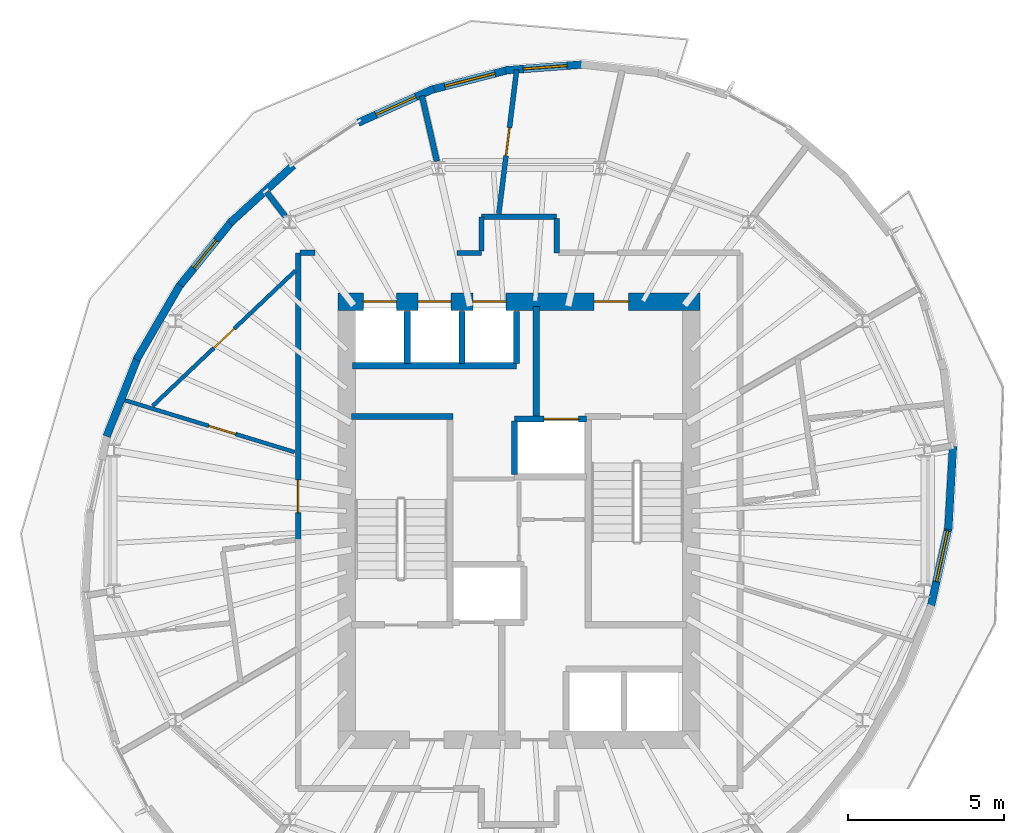
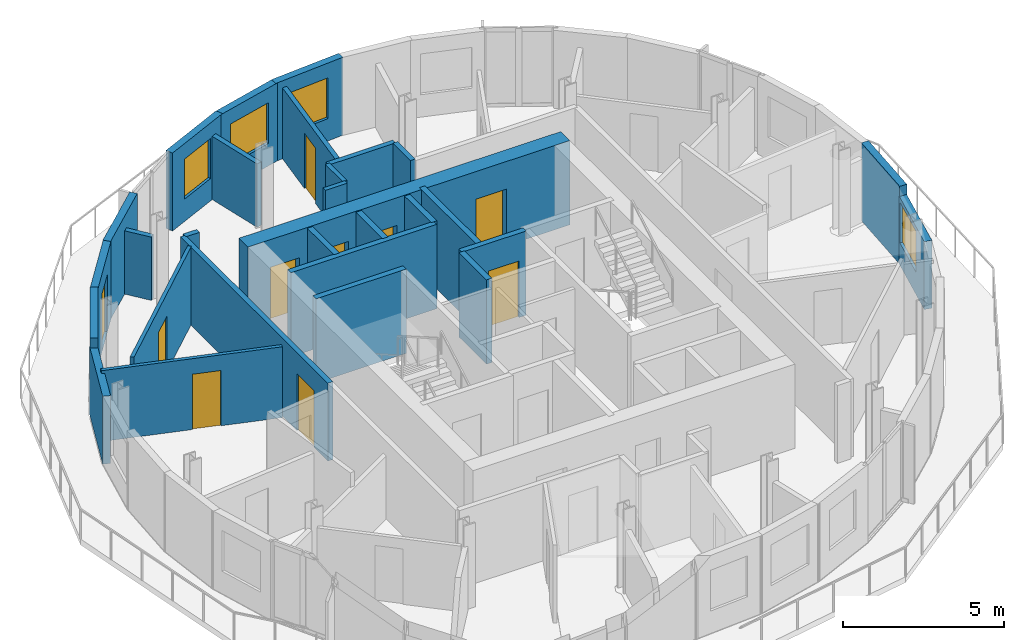
# One storey, part 6 of 11: 29 walls, 10 doors, 4 windows, 14 openings.
"""IFC4 building model written with IfcOpenShell, lengths in metres."""

from ifc_helpers import new_model, si_unit, direction, frame, frame_2d, origin, place, context, subcontext, project, spatial, rectangle, extrude, material, layer, layer_set, type_object, element, fill, save


model = new_model("IFC4")

# Units and contexts
model_context = context("Model", 3, precision=1e-05, world=origin(), true_north=direction((0.0, 1.0)))
body_context = subcontext(model_context, "Body", "Model", "MODEL_VIEW")
ifc_project = project(units=[si_unit("LENGTHUNIT", "METRE"), si_unit("AREAUNIT", "SQUARE_METRE"), si_unit("VOLUMEUNIT", "CUBIC_METRE"), si_unit("PLANEANGLEUNIT", "RADIAN"), si_unit("MASSUNIT", "GRAM", prefix="KILO")], contexts=[model_context])

# Site, building, storey
site_placement = place(None, origin())
site = spatial("IfcSite", under=ifc_project, at=site_placement, CompositionType="ELEMENT")
building_placement = place(site_placement, origin())
building = spatial("IfcBuilding", under=site, at=building_placement, Name="Veldorim Arch Residences", CompositionType="ELEMENT")
storey_placement = place(building_placement, frame((0.0, 0.0, 220.639892578125)))
storey = spatial("IfcBuildingStorey", under=building, at=storey_placement, Name="L66", CompositionType="ELEMENT", Elevation=220.639892578125)

# Wall, opening, door
ifc_material_1 = material(Name="Acoustic Gypsum Board", Category="gypsum")
ifc_layer_1 = layer(ifc_material_1, 0.125, Name="Acoustic Stud Room Partition Wall 125")
ifc_layer_set_1 = layer_set([ifc_layer_1], Name="Acoustic Gypsum Board")
wall_type_1 = type_object("IfcWallType", Name="Acoustic Stud Room Partition Wall 125", PredefinedType="PARTITIONING", material=ifc_layer_set_1)
wall_1_placement = place(storey_placement, frame((19.2998046875, 27.879150390625, 0.0), z_axis=(0.0, 0.0, 1.0), x_axis=(0.956379122361, -0.29212835246, 0.0)))
wall_1 = element("IfcWall", 1, at=wall_1_placement, inside=storey, type_object=wall_type_1, Name="L66 interior wall WL-RES-L66-030", PredefinedType="PARTITIONING", context=body_context, shape_type="SweptSolid", body=[
    extrude(rectangle(XDim=5.77734375, YDim=0.125, at=frame_2d((2.888671875, 0.0))), origin(), (0.0, 0.0, 1.0), 2.692138671875),
])
opening_1_placement = place(wall_1_placement, frame((2.91015625, 0.0, 0.0)))
opening_1 = element("IfcOpeningElement", 2, at=opening_1_placement, cuts=wall_1, Name="Opening DR-INT", PredefinedType="OPENING", context=body_context, shape_type="SweptSolid", body=[
    extrude(rectangle(XDim=0.89990234375, YDim=2.10009765625, at=frame_2d((0.449951171875, 1.050048828125))), frame((0.0, 0.072509765625, 0.0), z_axis=(0.0, -1.0, 0.0), x_axis=(1.0, 0.0, 0.0)), (0.0, 0.0, 1.0), 0.14501953125),
])
ifc_material_2 = material(Name="Engineered Timber", Category="wood")
door_type_1 = type_object("IfcDoorType", Name="Apartment Internal Room Timber Door 900x2100", OperationType="SINGLE_SWING_LEFT", PredefinedType="DOOR", material=ifc_material_2)
door_1_placement = place(opening_1_placement, origin())
door_1 = element("IfcDoor", 3, at=door_1_placement, inside=storey, type_object=door_type_1, Name="L66 interior door DR-RES-L66-016", OperationType="SINGLE_SWING_RIGHT", OverallHeight=2.10009765625, OverallWidth=0.89990234375, PredefinedType="DOOR", context=body_context, shape_type="SweptSolid", body=[
    extrude(rectangle(XDim=0.89990234375, YDim=2.10009765625, at=frame_2d((0.449951171875, 1.050048828125))), frame((0.0, 0.02490234375, 0.0), z_axis=(0.0, -1.0, 0.0), x_axis=(1.0, 0.0, 0.0)), (0.0, 0.0, 1.0), 0.050048828125),
])
fill(opening_1, door_1)

wall_2_placement = place(storey_placement, frame((20.29345703125, 27.66650390625, 0.0), z_axis=(0.0, 0.0, 1.0), x_axis=(0.725799476315, 0.687906330965, 0.0)))
wall_2 = element("IfcWall", 4, at=wall_2_placement, inside=storey, type_object=wall_type_1, Name="L66 interior wall WL-RES-L66-033", PredefinedType="PARTITIONING", context=body_context, shape_type="SweptSolid", body=[
    extrude(rectangle(XDim=6.28173828125, YDim=0.125, at=frame_2d((3.140869140625, 0.0))), origin(), (0.0, 0.0, 1.0), 2.955078125),
])
opening_2_placement = place(wall_2_placement, frame((2.69091796875, 0.0, 0.0)))
opening_2 = element("IfcOpeningElement", 5, at=opening_2_placement, cuts=wall_2, Name="Opening DR-INT", PredefinedType="OPENING", context=body_context, shape_type="SweptSolid", body=[
    extrude(rectangle(XDim=0.89990234375, YDim=2.10009765625, at=frame_2d((0.449951171875, 1.050048828125))), frame((0.0, 0.072509765625, 0.0), z_axis=(0.0, -1.0, 0.0), x_axis=(1.0, 0.0, 0.0)), (0.0, 0.0, 1.0), 0.14501953125),
])
door_2_placement = place(opening_2_placement, origin())
door_2 = element("IfcDoor", 6, at=door_2_placement, inside=storey, type_object=door_type_1, Name="L66 interior door DR-RES-L66-017", OperationType="SINGLE_SWING_LEFT", OverallHeight=2.10009765625, OverallWidth=0.89990234375, PredefinedType="DOOR", context=body_context, shape_type="SweptSolid", body=[
    extrude(rectangle(XDim=0.89990234375, YDim=2.10009765625, at=frame_2d((0.449951171875, 1.050048828125))), frame((0.0, 0.02490234375, 0.0), z_axis=(0.0, -1.0, 0.0), x_axis=(1.0, 0.0, 0.0)), (0.0, 0.0, 1.0), 0.050048828125),
])
fill(opening_2, door_2)

# Walls
ifc_material_3 = material(Name="Lightweight Masonry Block & Gypsum", Category="masonry")
ifc_layer_2 = layer(ifc_material_3, 0.179931640625, Name="Compartment & Corridor Fire-Rated Party Wall 180")
ifc_layer_set_2 = layer_set([ifc_layer_2], Name="Lightweight Masonry Block & Gypsum")
wall_type_2 = type_object("IfcWallType", Name="Compartment & Corridor Fire-Rated Party Wall 180", PredefinedType="PARTITIONING", material=ifc_layer_set_2)
wall_3_placement = place(storey_placement, frame((29.37353515625, 35.483154296875, 0.0), z_axis=(0.0, 0.0, 1.0), x_axis=(-0.222945438732, 0.974830924493, 0.0)))
element("IfcWall", 7, at=wall_3_placement, inside=storey, type_object=wall_type_2, Name="L66 interior wall WL-PIER-L66-05", PredefinedType="PARTITIONING", context=body_context, shape_type="SweptSolid", body=[
    extrude(rectangle(XDim=2.14306640625, YDim=0.179931640625, at=frame_2d((1.071533203125, 0.0))), origin(), (0.0, 0.0, 1.0), 2.403564453125),
])
wall_4_placement = place(storey_placement, frame((24.526611328125, 33.727294921875, 0.0), z_axis=(0.0, 0.0, 1.0), x_axis=(-0.60918017505, 0.793031849503, 0.0)))
element("IfcWall", 8, at=wall_4_placement, inside=storey, type_object=wall_type_2, Name="L66 interior wall WL-PIER-L66-06", PredefinedType="PARTITIONING", context=body_context, shape_type="SweptSolid", body=[
    extrude(rectangle(XDim=0.978759765625, YDim=0.179931640625, at=frame_2d((0.4892578125, 0.0))), origin(), (0.0, 0.0, 1.0), 2.403564453125),
])
wall_5_placement = place(storey_placement, frame((30.800048828125, 33.7099609375, 0.0), z_axis=(0.0, 0.0, 1.0), x_axis=(1.0, 0.0, 0.0)))
element("IfcWall", 9, at=wall_5_placement, inside=storey, type_object=wall_type_2, Name="L66 interior wall WL-RES-L66-009", PredefinedType="PARTITIONING", context=body_context, shape_type="SweptSolid", body=[
    extrude(rectangle(XDim=2.39990234375, YDim=0.179931640625, at=frame_2d((1.199951171875, 0.0))), origin(), (0.0, 0.0, 1.0), 2.955078125),
])
wall_6_placement = place(storey_placement, frame((33.199951171875, 33.64990234375, 0.0), z_axis=(0.0, 0.0, 1.0), x_axis=(0.0, -1.0, 0.0)))
element("IfcWall", 10, at=wall_6_placement, inside=storey, type_object=wall_type_2, Name="L66 interior wall WL-RES-L66-010", PredefinedType="PARTITIONING", context=body_context, shape_type="SweptSolid", body=[
    extrude(rectangle(XDim=1.08984375, YDim=0.179931640625, at=frame_2d((0.544921875, 0.0))), origin(), (0.0, 0.0, 1.0), 2.955078125),
])

# Wall, opening, door
wall_7_placement = place(storey_placement, frame((24.93994140625, 23.383544921875, 0.0), z_axis=(0.0, 0.0, 1.0), x_axis=(0.0, 1.0, 0.0)))
wall_7 = element("IfcWall", 11, at=wall_7_placement, inside=storey, type_object=wall_type_2, Name="L66 interior wall WL-RES-L66-014", PredefinedType="PARTITIONING", context=body_context, shape_type="SweptSolid", body=[
    extrude(rectangle(XDim=9.176513671875, YDim=0.179931640625, at=frame_2d((4.58837890625, 0.0))), origin(), (0.0, 0.0, 1.0), 2.955078125),
])
opening_3_placement = place(wall_7_placement, frame((0.871826171875, 0.0, 0.0)))
opening_3 = element("IfcOpeningElement", 12, at=opening_3_placement, cuts=wall_7, Name="Opening DR-FLT", PredefinedType="OPENING", context=body_context, shape_type="SweptSolid", body=[
    extrude(rectangle(XDim=1.050048828125, YDim=2.14990234375, at=frame_2d((0.52490234375, 1.074951171875))), frame((0.0, 0.099853515625, 0.0), z_axis=(0.0, -1.0, 0.0), x_axis=(1.0, 0.0, 0.0)), (0.0, 0.0, 1.0), 0.199951171875),
])
ifc_material_4 = material(Name="Fire-Rated Timber", Category="wood")
door_type_2 = type_object("IfcDoorType", Name="Apartment Entrance Solid-Core Fire Door 1050x2150", OperationType="SINGLE_SWING_LEFT", PredefinedType="DOOR", material=ifc_material_4)
door_3_placement = place(opening_3_placement, origin())
door_3 = element("IfcDoor", 13, at=door_3_placement, inside=storey, type_object=door_type_2, Name="L66 interior door DR-RES-L66-014", OperationType="SINGLE_SWING_RIGHT", OverallHeight=2.14990234375, OverallWidth=1.050048828125, PredefinedType="DOOR", context=body_context, shape_type="SweptSolid", body=[
    extrude(rectangle(XDim=1.050048828125, YDim=2.14990234375, at=frame_2d((0.52490234375, 1.074951171875))), frame((0.0, 0.02490234375, 0.0), z_axis=(0.0, -1.0, 0.0), x_axis=(1.0, 0.0, 0.0)), (0.0, 0.0, 1.0), 0.050048828125),
])
fill(opening_3, door_3)

# Walls
wall_8_placement = place(storey_placement, frame((25.0, 32.56005859375, 0.0), z_axis=(0.0, 0.0, 1.0), x_axis=(1.0, 0.0, 0.0)))
element("IfcWall", 14, at=wall_8_placement, inside=storey, type_object=wall_type_2, Name="L66 interior wall WL-RES-L66-015", PredefinedType="PARTITIONING", context=body_context, shape_type="SweptSolid", body=[
    extrude(rectangle(XDim=0.485595703125, YDim=0.179931640625, at=frame_2d((0.24267578125, 0.0))), origin(), (0.0, 0.0, 1.0), 2.955078125),
])
ifc_material_5 = material(Name="Concrete C50/60", Category="concrete")
ifc_layer_3 = layer(ifc_material_5, 0.199951171875, Name="Core Stair & Lift Shaft Enclosure Wall 200")
ifc_layer_set_3 = layer_set([ifc_layer_3], Name="Concrete C50/60")
wall_type_3 = type_object("IfcWallType", Name="Core Stair & Lift Shaft Enclosure Wall 200", PredefinedType="SHEAR", material=ifc_layer_set_3)
wall_9_placement = place(storey_placement, frame((26.64990234375, 27.330078125, 0.0), z_axis=(0.0, 0.0, 1.0), x_axis=(1.0, 0.0, 0.0)))
element("IfcWall", 15, at=wall_9_placement, inside=storey, type_object=wall_type_3, Name="L66 shaft wall WL-SHF-L66-ST1-N", PredefinedType="SHEAR", context=body_context, shape_type="SweptSolid", body=[
    extrude(rectangle(XDim=3.239990234375, YDim=0.199951171875, at=frame_2d((1.6201171875, 0.0))), origin(), (0.0, 0.0, 1.0), 3.2001953125),
])
wall_10_placement = place(storey_placement, frame((32.550048828125, 27.35009765625, 0.0), z_axis=(0.0, 0.0, 1.0), x_axis=(0.0, 1.0, 0.0)))
element("IfcWall", 16, at=wall_10_placement, inside=storey, type_object=wall_type_3, Name="L66 shaft wall WL-FFL2-L66-W", PredefinedType="SHEAR", context=body_context, shape_type="SweptSolid", body=[
    extrude(rectangle(XDim=3.5, YDim=0.199951171875, at=frame_2d((1.75, 0.0))), origin(), (0.0, 0.0, 1.0), 3.2001953125),
])

# Wall, opening, door
wall_11_placement = place(storey_placement, frame((31.85009765625, 27.25, 0.0), z_axis=(0.0, 0.0, 1.0), x_axis=(1.0, 0.0, 0.0)))
wall_11 = element("IfcWall", 17, at=wall_11_placement, inside=storey, type_object=wall_type_3, Name="L66 shaft wall WL-FL02-L66-N", PredefinedType="SHEAR", context=body_context, shape_type="SweptSolid", body=[
    extrude(rectangle(XDim=2.2998046875, YDim=0.199951171875, at=frame_2d((1.14990234375, 0.0))), origin(), (0.0, 0.0, 1.0), 3.2001953125),
])
opening_4_placement = place(wall_11_placement, frame((0.949951171875, 0.0, 0.0)))
opening_4 = element("IfcOpeningElement", 18, at=opening_4_placement, cuts=wall_11, Name="Opening LD-FF", PredefinedType="OPENING", context=body_context, shape_type="SweptSolid", body=[
    extrude(rectangle(XDim=1.10009765625, YDim=2.14990234375, at=frame_2d((0.550048828125, 1.074951171875))), frame((0.0, 0.10986328125, 0.0), z_axis=(0.0, -1.0, 0.0), x_axis=(1.0, 0.0, 0.0)), (0.0, 0.0, 1.0), 0.219970703125),
])
ifc_material_6 = material(Name="Stainless Steel", Category="steel")
door_type_3 = type_object("IfcDoorType", Name="Firefighting Lift Bi-Parting Sliding Landing Door 1100x2150", OperationType="DOUBLE_DOOR_SLIDING", PredefinedType="DOOR", material=ifc_material_6)
door_4_placement = place(opening_4_placement, origin())
door_4 = element("IfcDoor", 19, at=door_4_placement, inside=storey, type_object=door_type_3, Name="L66 lift landing door LD-L66-FL02", OperationType="DOUBLE_DOOR_SLIDING", OverallHeight=2.14990234375, OverallWidth=1.10009765625, PredefinedType="DOOR", context=body_context, shape_type="SweptSolid", body=[
    extrude(rectangle(XDim=1.10009765625, YDim=2.14990234375, at=frame_2d((0.550048828125, 1.074951171875))), frame((0.0, 0.02490234375, 0.0), z_axis=(0.0, -1.0, 0.0), x_axis=(1.0, 0.0, 0.0)), (0.0, 0.0, 1.0), 0.050048828125),
])
fill(opening_4, door_4)

# Walls
wall_12_placement = place(storey_placement, frame((31.85009765625, 25.469970703125, 0.0), z_axis=(0.0, 0.0, 1.0), x_axis=(0.0, 1.0, 0.0)))
element("IfcWall", 20, at=wall_12_placement, inside=storey, type_object=wall_type_3, Name="L66 shaft wall WL-FL02-L66-W", PredefinedType="SHEAR", context=body_context, shape_type="SweptSolid", body=[
    extrude(rectangle(XDim=1.7099609375, YDim=0.199951171875, at=frame_2d((0.85498046875, 0.0))), origin(), (0.0, 0.0, 1.0), 3.2001953125),
])
wall_13_placement = place(storey_placement, frame((26.679931640625, 28.949951171875, 0.0), z_axis=(0.0, 0.0, 1.0), x_axis=(1.0, 0.0, 0.0)))
element("IfcWall", 21, at=wall_13_placement, inside=storey, type_object=wall_type_3, Name="L66 shaft wall WL-B3-L66-S", PredefinedType="SHEAR", context=body_context, shape_type="SweptSolid", body=[
    extrude(rectangle(XDim=5.239990234375, YDim=0.199951171875, at=frame_2d((2.6201171875, 0.0))), origin(), (0.0, 0.0, 1.0), 3.2001953125),
])
for number, where, z_axis, x_axis, name in (
    (22, (31.919921875, 29.02001953125, 0.0), (0.0, 0.0, 1.0), (0.0, 1.0, 0.0), "L66 shaft wall WL-B3-L66-E"),
    (23, (28.425048828125, 29.02001953125, 0.0), (0.0, 0.0, 1.0), (0.0, 1.0, 0.0), "L66 shaft wall WL-B3-L66-D1"),
    (24, (30.175048828125, 29.02001953125, 0.0), (0.0, 0.0, 1.0), (0.0, 1.0, 0.0), "L66 shaft wall WL-B3-L66-D2"),
):
    element("IfcWall", number, at=place(storey_placement, frame(where, z_axis=z_axis, x_axis=x_axis)), inside=storey, type_object=wall_type_3, Name=name, PredefinedType="SHEAR", context=body_context, shape_type="SweptSolid", body=[
        extrude(rectangle(XDim=1.659912109375, YDim=0.199951171875, at=frame_2d((0.830078125, 0.0))), origin(), (0.0, 0.0, 1.0), 3.2001953125),
    ])

# Wall, opening, window
ifc_material_7 = material(Name="Precast concrete C40/50", Category="concrete")
ifc_layer_4 = layer(ifc_material_7, 0.25, Name="Tower Terracotta Spandrel & Pier Wall 250")
ifc_layer_set_4 = layer_set([ifc_layer_4], Name="Precast concrete C40/50")
wall_type_4 = type_object("IfcWallType", Name="Tower Terracotta Spandrel & Pier Wall 250", PredefinedType="SOLIDWALL", material=ifc_layer_set_4)
wall_14_placement = place(storey_placement, frame((31.57080078125, 38.393798828125, 0.0), z_axis=(0.0, 0.0, 1.0), x_axis=(0.997203982256, 0.074727623888, 0.0)))
wall_14 = element("IfcWall", 25, at=wall_14_placement, inside=storey, type_object=wall_type_4, Name="L66 terracotta facade wall 04", PredefinedType="SOLIDWALL", context=body_context, shape_type="SweptSolid", body=[
    extrude(rectangle(XDim=2.531982421875, YDim=0.25, at=frame_2d((1.26611328125, 0.0))), origin(), (0.0, 0.0, 1.0), 2.960205078125),
])
opening_5_placement = place(wall_14_placement, frame((0.56591796875, 0.0, 0.85009765625)))
opening_5 = element("IfcOpeningElement", 26, at=opening_5_placement, cuts=wall_14, Name="Opening WN-02", PredefinedType="OPENING", context=body_context, shape_type="SweptSolid", body=[
    extrude(rectangle(XDim=1.39990234375, YDim=1.550048828125, at=frame_2d((0.699951171875, 0.77490234375))), frame((0.0, 0.135009765625, 0.0), z_axis=(0.0, -1.0, 0.0), x_axis=(1.0, 0.0, 0.0)), (0.0, 0.0, 1.0), 0.27001953125),
])
ifc_material_8 = material(Name="Laminated Low-E Glass", Category="glass")
window_type_1 = type_object("IfcWindowType", Name="Residential Casement Window 1400x1550", PartitioningType="SINGLE_PANEL", PredefinedType="WINDOW", material=ifc_material_8)
window_1_placement = place(opening_5_placement, origin())
window_1 = element("IfcWindow", 27, at=window_1_placement, inside=storey, type_object=window_type_1, Name="L66 solar-control facade window 04", OverallHeight=1.550048828125, OverallWidth=1.39990234375, PartitioningType="SINGLE_PANEL", PredefinedType="WINDOW", context=body_context, shape_type="SweptSolid", body=[
    extrude(rectangle(XDim=1.39990234375, YDim=1.550048828125, at=frame_2d((0.699951171875, 0.77490234375))), frame((0.0, 0.030029296875, 0.0), z_axis=(0.0, -1.0, 0.0), x_axis=(1.0, 0.0, 0.0)), (0.0, 0.0, 1.0), 0.06005859375),
])
fill(opening_5, window_1)

wall_15_placement = place(storey_placement, frame((29.170654296875, 37.765625, 0.0), z_axis=(0.0, 0.0, 1.0), x_axis=(0.968423445169, 0.249311112562, 0.0)))
wall_15 = element("IfcWall", 28, at=wall_15_placement, inside=storey, type_object=wall_type_4, Name="L66 terracotta facade wall 05", PredefinedType="SOLIDWALL", context=body_context, shape_type="SweptSolid", body=[
    extrude(rectangle(XDim=2.592041015625, YDim=0.25, at=frame_2d((1.2958984375, 0.0))), origin(), (0.0, 0.0, 1.0), 2.960205078125),
])
opening_6_placement = place(wall_15_placement, frame((0.470947265625, 0.0, 0.85009765625)))
opening_6 = element("IfcOpeningElement", 29, at=opening_6_placement, cuts=wall_15, Name="Opening WN-03", PredefinedType="OPENING", context=body_context, shape_type="SweptSolid", body=[
    extrude(rectangle(XDim=1.64990234375, YDim=1.550048828125, at=frame_2d((0.824951171875, 0.77490234375))), frame((0.0, 0.135009765625, 0.0), z_axis=(0.0, -1.0, 0.0), x_axis=(1.0, 0.0, 0.0)), (0.0, 0.0, 1.0), 0.27001953125),
])
ifc_material_9 = material(Name="Laminated Low-E Glass", Category="glass")
window_type_2 = type_object("IfcWindowType", Name="Residential Wide Window 1650x1550", PartitioningType="SINGLE_PANEL", PredefinedType="WINDOW", material=ifc_material_9)
window_2_placement = place(opening_6_placement, origin())
window_2 = element("IfcWindow", 30, at=window_2_placement, inside=storey, type_object=window_type_2, Name="L66 solar-control facade window 05", OverallHeight=1.550048828125, OverallWidth=1.64990234375, PartitioningType="SINGLE_PANEL", PredefinedType="WINDOW", context=body_context, shape_type="SweptSolid", body=[
    extrude(rectangle(XDim=1.64990234375, YDim=1.550048828125, at=frame_2d((0.824951171875, 0.77490234375))), frame((0.0, 0.030029296875, 0.0), z_axis=(0.0, -1.0, 0.0), x_axis=(1.0, 0.0, 0.0)), (0.0, 0.0, 1.0), 0.06005859375),
])
fill(opening_6, window_2)

wall_16_placement = place(storey_placement, frame((26.85546875, 36.719482421875, 0.0), z_axis=(0.0, 0.0, 1.0), x_axis=(0.912779399898, 0.408452894617, 0.0)))
wall_16 = element("IfcWall", 31, at=wall_16_placement, inside=storey, type_object=wall_type_4, Name="L66 terracotta facade wall 06", PredefinedType="SOLIDWALL", context=body_context, shape_type="SweptSolid", body=[
    extrude(rectangle(XDim=2.65087890625, YDim=0.25, at=frame_2d((1.325439453125, 0.0))), origin(), (0.0, 0.0, 1.0), 2.960205078125),
])
opening_7_placement = place(wall_16_placement, frame((0.625, 0.0, 0.85009765625)))
opening_7 = element("IfcOpeningElement", 32, at=opening_7_placement, cuts=wall_16, Name="Opening WN-02", PredefinedType="OPENING", context=body_context, shape_type="SweptSolid", body=[
    extrude(rectangle(XDim=1.39990234375, YDim=1.52001953125, at=frame_2d((0.699951171875, 0.760009765625))), frame((0.0, 0.135009765625, 0.0), z_axis=(0.0, -1.0, 0.0), x_axis=(1.0, 0.0, 0.0)), (0.0, 0.0, 1.0), 0.27001953125),
])
window_3_placement = place(opening_7_placement, origin())
window_3 = element("IfcWindow", 33, at=window_3_placement, inside=storey, type_object=window_type_1, Name="L66 solar-control facade window 06", OverallHeight=1.52001953125, OverallWidth=1.39990234375, PartitioningType="SINGLE_PANEL", PredefinedType="WINDOW", context=body_context, shape_type="SweptSolid", body=[
    extrude(rectangle(XDim=1.39990234375, YDim=1.52001953125, at=frame_2d((0.699951171875, 0.760009765625))), frame((0.0, 0.030029296875, 0.0), z_axis=(0.0, -1.0, 0.0), x_axis=(1.0, 0.0, 0.0)), (0.0, 0.0, 1.0), 0.06005859375),
])
fill(opening_7, window_3)

# Wall
wall_17_placement = place(storey_placement, frame((22.757080078125, 33.509521484375, 0.0), z_axis=(0.0, 0.0, 1.0), x_axis=(0.739366950434, 0.673302690182, 0.0)))
element("IfcWall", 34, at=wall_17_placement, inside=storey, type_object=wall_type_4, Name="L66 terracotta facade wall 08", PredefinedType="SOLIDWALL", context=body_context, shape_type="SweptSolid", body=[
    extrude(rectangle(XDim=2.73828125, YDim=0.25, at=frame_2d((1.369140625, 0.0))), origin(), (0.0, 0.0, 1.0), 2.960205078125),
])

# Wall, opening, door
wall_18_placement = place(storey_placement, frame((21.099609375, 31.4423828125, 0.0), z_axis=(0.0, 0.0, 1.0), x_axis=(0.628046541479, 0.778175778174, 0.0)))
wall_18 = element("IfcWall", 35, at=wall_18_placement, inside=storey, type_object=wall_type_4, Name="L66 terracotta facade wall 09", PredefinedType="SOLIDWALL", context=body_context, shape_type="SweptSolid", body=[
    extrude(rectangle(XDim=2.758056640625, YDim=0.25, at=frame_2d((1.37890625, 0.0))), origin(), (0.0, 0.0, 1.0), 2.960205078125),
])
opening_8_placement = place(wall_18_placement, frame((0.803955078125, 0.0, 0.0)))
opening_8 = element("IfcOpeningElement", 36, at=opening_8_placement, cuts=wall_18, Name="Opening BL-DR", PredefinedType="OPENING", context=body_context, shape_type="SweptSolid", body=[
    extrude(rectangle(XDim=1.14990234375, YDim=2.199951171875, at=frame_2d((0.574951171875, 1.10009765625))), frame((0.0, 0.135009765625, 0.0), z_axis=(0.0, -1.0, 0.0), x_axis=(1.0, 0.0, 0.0)), (0.0, 0.0, 1.0), 0.27001953125),
])
ifc_material_10 = material(Name="Aluminium & Low-E Glass", Category="aluminium")
door_type_4 = type_object("IfcDoorType", Name="Glazed Planted Balcony Door 1150x2200", OperationType="SINGLE_SWING_LEFT", PredefinedType="DOOR", material=ifc_material_10)
door_5_placement = place(opening_8_placement, origin())
door_5 = element("IfcDoor", 37, at=door_5_placement, inside=storey, type_object=door_type_4, Name="L66 glazed outdoor terrace door BALC-1", OperationType="SINGLE_SWING_LEFT", OverallHeight=2.199951171875, OverallWidth=1.14990234375, PredefinedType="DOOR", context=body_context, shape_type="SweptSolid", body=[
    extrude(rectangle(XDim=1.14990234375, YDim=2.199951171875, at=frame_2d((0.574951171875, 1.10009765625))), frame((0.0, 0.02490234375, 0.0), z_axis=(0.0, -1.0, 0.0), x_axis=(1.0, 0.0, 0.0)), (0.0, 0.0, 1.0), 0.050048828125),
])
fill(opening_8, door_5)

# Walls
wall_19_placement = place(storey_placement, frame((19.7734375, 29.148681640625, 0.0), z_axis=(0.0, 0.0, 1.0), x_axis=(0.503177339128, 0.864183178144, 0.0)))
element("IfcWall", 38, at=wall_19_placement, inside=storey, type_object=wall_type_4, Name="L66 terracotta facade wall 10", PredefinedType="SOLIDWALL", context=body_context, shape_type="SweptSolid", body=[
    extrude(rectangle(XDim=2.7578125, YDim=0.25, at=frame_2d((1.37890625, 0.0))), origin(), (0.0, 0.0, 1.0), 2.960205078125),
])
wall_20_placement = place(storey_placement, frame((18.819580078125, 26.697509765625, 0.0), z_axis=(0.0, 0.0, 1.0), x_axis=(0.365588934877, 0.930776412838, 0.0)))
element("IfcWall", 39, at=wall_20_placement, inside=storey, type_object=wall_type_4, Name="L66 terracotta facade wall 11", PredefinedType="SOLIDWALL", context=body_context, shape_type="SweptSolid", body=[
    extrude(rectangle(XDim=2.73876953125, YDim=0.25, at=frame_2d((1.369384765625, 0.0))), origin(), (0.0, 0.0, 1.0), 2.5771484375),
])

# Wall, opening, window
wall_21_placement = place(storey_placement, frame((45.73291015625, 23.835693359375, 0.0), z_axis=(0.0, 0.0, 1.0), x_axis=(-0.21633718885, -0.976318708579, 0.0)))
wall_21 = element("IfcWall", 40, at=wall_21_placement, inside=storey, type_object=wall_type_4, Name="L66 terracotta facade wall 30", PredefinedType="SOLIDWALL", context=body_context, shape_type="SweptSolid", body=[
    extrude(rectangle(XDim=2.70166015625, YDim=0.25, at=frame_2d((1.350830078125, 0.0))), origin(), (0.0, 0.0, 1.0), 2.5771484375),
])
opening_9_placement = place(wall_21_placement, frame((0.175048828125, 0.0, 0.85009765625)))
opening_9 = element("IfcOpeningElement", 41, at=opening_9_placement, cuts=wall_21, Name="Opening WN-03", PredefinedType="OPENING", context=body_context, shape_type="SweptSolid", body=[
    extrude(rectangle(XDim=1.64990234375, YDim=1.550048828125, at=frame_2d((0.824951171875, 0.77490234375))), frame((0.0, 0.135009765625, 0.0), z_axis=(0.0, -1.0, 0.0), x_axis=(1.0, 0.0, 0.0)), (0.0, 0.0, 1.0), 0.27001953125),
])
window_4_placement = place(opening_9_placement, origin())
window_4 = element("IfcWindow", 42, at=window_4_placement, inside=storey, type_object=window_type_2, Name="L66 solar-control facade window 30", OverallHeight=1.550048828125, OverallWidth=1.64990234375, PartitioningType="SINGLE_PANEL", PredefinedType="WINDOW", context=body_context, shape_type="SweptSolid", body=[
    extrude(rectangle(XDim=1.64990234375, YDim=1.550048828125, at=frame_2d((0.824951171875, 0.77490234375))), frame((0.0, 0.030029296875, 0.0), z_axis=(0.0, -1.0, 0.0), x_axis=(1.0, 0.0, 0.0)), (0.0, 0.0, 1.0), 0.06005859375),
])
fill(opening_9, window_4)

# Wall
wall_22_placement = place(storey_placement, frame((45.866943359375, 26.37353515625, 0.0), z_axis=(0.0, 0.0, 1.0), x_axis=(-0.056270814174, -0.998415542483, 0.0)))
element("IfcWall", 43, at=wall_22_placement, inside=storey, type_object=wall_type_4, Name="L66 terracotta facade wall 31", PredefinedType="SOLIDWALL", context=body_context, shape_type="SweptSolid", body=[
    extrude(rectangle(XDim=2.65087890625, YDim=0.25, at=frame_2d((1.325439453125, 0.0))), origin(), (0.0, 0.0, 1.0), 2.960205078125),
])

# Wall, openings, doors
ifc_material_11 = material(Name="Concrete C50/60", Category="concrete")
ifc_layer_5 = layer(ifc_material_11, 0.5, Name="Upper Central Core Shear Wall 560")
ifc_layer_set_5 = layer_set([ifc_layer_5], Name="Concrete C50/60")
wall_type_5 = type_object("IfcWallType", Name="Upper Central Core Shear Wall 560", PredefinedType="SHEAR", material=ifc_layer_set_5)
wall_23_placement = place(storey_placement, frame((26.219970703125, 31.0, 0.0), z_axis=(0.0, 0.0, 1.0), x_axis=(1.0, 0.0, 0.0)))
wall_23 = element("IfcWall", 44, at=wall_23_placement, inside=storey, type_object=wall_type_5, Name="L66 central core north shear wall", PredefinedType="SHEAR", context=body_context, shape_type="SweptSolid", body=[
    extrude(rectangle(XDim=11.56005859375, YDim=0.56005859375, at=frame_2d((5.780029296875, 0.0))), origin(), (0.0, 0.0, 1.0), 3.2001953125),
])
opening_10_placement = place(wall_23_placement, frame((8.179931640625, 0.0, 0.0)))
opening_10 = element("IfcOpeningElement", 45, at=opening_10_placement, cuts=wall_23, Name="Opening DR-FFL", PredefinedType="OPENING", context=body_context, shape_type="SweptSolid", body=[
    extrude(rectangle(XDim=1.10009765625, YDim=2.14990234375, at=frame_2d((0.550048828125, 1.074951171875))), frame((0.0, 0.2900390625, 0.0), z_axis=(0.0, -1.0, 0.0), x_axis=(1.0, 0.0, 0.0)), (0.0, 0.0, 1.0), 0.580078125),
])
opening_11_placement = place(wall_23_placement, frame((0.804931640625, 0.0, 0.0)))
opening_11 = element("IfcOpeningElement", 46, at=opening_11_placement, cuts=wall_23, Name="Opening LD-PS", PredefinedType="OPENING", context=body_context, shape_type="SweptSolid", body=[
    extrude(rectangle(XDim=1.050048828125, YDim=2.14990234375, at=frame_2d((0.52490234375, 1.074951171875))), frame((0.0, 0.2900390625, 0.0), z_axis=(0.0, -1.0, 0.0), x_axis=(1.0, 0.0, 0.0)), (0.0, 0.0, 1.0), 0.580078125),
])
opening_12_placement = place(wall_23_placement, frame((2.554931640625, 0.0, 0.0)))
opening_12 = element("IfcOpeningElement", 47, at=opening_12_placement, cuts=wall_23, Name="Opening LD-PS", PredefinedType="OPENING", context=body_context, shape_type="SweptSolid", body=[
    extrude(rectangle(XDim=1.050048828125, YDim=2.14990234375, at=frame_2d((0.52490234375, 1.074951171875))), frame((0.0, 0.2900390625, 0.0), z_axis=(0.0, -1.0, 0.0), x_axis=(1.0, 0.0, 0.0)), (0.0, 0.0, 1.0), 0.580078125),
])
opening_13_placement = place(wall_23_placement, frame((4.304931640625, 0.0, 0.0)))
opening_13 = element("IfcOpeningElement", 48, at=opening_13_placement, cuts=wall_23, Name="Opening LD-PS", PredefinedType="OPENING", context=body_context, shape_type="SweptSolid", body=[
    extrude(rectangle(XDim=1.050048828125, YDim=2.14990234375, at=frame_2d((0.52490234375, 1.074951171875))), frame((0.0, 0.2900390625, 0.0), z_axis=(0.0, -1.0, 0.0), x_axis=(1.0, 0.0, 0.0)), (0.0, 0.0, 1.0), 0.580078125),
])
ifc_material_12 = material(Name="Fire-Rated Steel & Vision Glass", Category="steel")
door_type_5 = type_object("IfcDoorType", Name="Firefighting Lobby Smoke-Stop Fire Door 1100x2150", OperationType="SINGLE_SWING_LEFT", PredefinedType="DOOR", material=ifc_material_12)
door_6_placement = place(opening_10_placement, origin())
door_6 = element("IfcDoor", 49, at=door_6_placement, inside=storey, type_object=door_type_5, Name="L66 interior door DR-L66-FFL2", OperationType="SINGLE_SWING_LEFT", OverallHeight=2.14990234375, OverallWidth=1.10009765625, PredefinedType="DOOR", context=body_context, shape_type="SweptSolid", body=[
    extrude(rectangle(XDim=1.10009765625, YDim=2.14990234375, at=frame_2d((0.550048828125, 1.074951171875))), frame((0.0, 0.02490234375, 0.0), z_axis=(0.0, -1.0, 0.0), x_axis=(1.0, 0.0, 0.0)), (0.0, 0.0, 1.0), 0.050048828125),
])
fill(opening_10, door_6)
ifc_material_13 = material(Name="Stainless Steel", Category="steel")
door_type_6 = type_object("IfcDoorType", Name="Passenger Lift Bi-Parting Sliding Landing Door 1050x2150", OperationType="DOUBLE_DOOR_SLIDING", PredefinedType="DOOR", material=ifc_material_13)
door_7_placement = place(opening_11_placement, origin())
door_7 = element("IfcDoor", 50, at=door_7_placement, inside=storey, type_object=door_type_6, Name="L66 lift landing door LD-L66-PL-08", OperationType="DOUBLE_DOOR_SLIDING", OverallHeight=2.14990234375, OverallWidth=1.050048828125, PredefinedType="DOOR", context=body_context, shape_type="SweptSolid", body=[
    extrude(rectangle(XDim=1.050048828125, YDim=2.14990234375, at=frame_2d((0.52490234375, 1.074951171875))), frame((0.0, 0.02490234375, 0.0), z_axis=(0.0, -1.0, 0.0), x_axis=(1.0, 0.0, 0.0)), (0.0, 0.0, 1.0), 0.050048828125),
])
fill(opening_11, door_7)
door_8_placement = place(opening_12_placement, origin())
door_8 = element("IfcDoor", 51, at=door_8_placement, inside=storey, type_object=door_type_6, Name="L66 lift landing door LD-L66-PL-09", OperationType="DOUBLE_DOOR_SLIDING", OverallHeight=2.14990234375, OverallWidth=1.050048828125, PredefinedType="DOOR", context=body_context, shape_type="SweptSolid", body=[
    extrude(rectangle(XDim=1.050048828125, YDim=2.14990234375, at=frame_2d((0.52490234375, 1.074951171875))), frame((0.0, 0.02490234375, 0.0), z_axis=(0.0, -1.0, 0.0), x_axis=(1.0, 0.0, 0.0)), (0.0, 0.0, 1.0), 0.050048828125),
])
fill(opening_12, door_8)
door_9_placement = place(opening_13_placement, origin())
door_9 = element("IfcDoor", 52, at=door_9_placement, inside=storey, type_object=door_type_6, Name="L66 lift landing door LD-L66-PL-10", OperationType="DOUBLE_DOOR_SLIDING", OverallHeight=2.14990234375, OverallWidth=1.050048828125, PredefinedType="DOOR", context=body_context, shape_type="SweptSolid", body=[
    extrude(rectangle(XDim=1.050048828125, YDim=2.14990234375, at=frame_2d((0.52490234375, 1.074951171875))), frame((0.0, 0.02490234375, 0.0), z_axis=(0.0, -1.0, 0.0), x_axis=(1.0, 0.0, 0.0)), (0.0, 0.0, 1.0), 0.050048828125),
])
fill(opening_13, door_9)

# Walls
ifc_material_14 = material(Name="Moisture-Resistant Gypsum & Stud", Category="gypsum")
ifc_layer_6 = layer(ifc_material_14, 0.159912109375, Name="Wet-Area Moisture-Resistant Plumbing Wall 160")
ifc_layer_set_6 = layer_set([ifc_layer_6], Name="Moisture-Resistant Gypsum & Stud")
wall_type_6 = type_object("IfcWallType", Name="Wet-Area Moisture-Resistant Plumbing Wall 160", PredefinedType="PLUMBINGWALL", material=ifc_layer_set_6)
wall_24_placement = place(storey_placement, frame((30.021728515625, 32.56005859375, 0.0), z_axis=(0.0, 0.0, 1.0), x_axis=(1.0, 0.0, 0.0)))
element("IfcWall", 53, at=wall_24_placement, inside=storey, type_object=wall_type_6, Name="L66 interior wall WL-RES-L66-012", PredefinedType="PLUMBINGWALL", context=body_context, shape_type="SweptSolid", body=[
    extrude(rectangle(XDim=0.7783203125, YDim=0.159912109375, at=frame_2d((0.38916015625, 0.0))), origin(), (0.0, 0.0, 1.0), 2.955078125),
])
wall_25_placement = place(storey_placement, frame((30.800048828125, 32.6201171875, 0.0), z_axis=(0.0, 0.0, 1.0), x_axis=(0.0, 1.0, 0.0)))
element("IfcWall", 54, at=wall_25_placement, inside=storey, type_object=wall_type_6, Name="L66 interior wall WL-RES-L66-013", PredefinedType="PLUMBINGWALL", context=body_context, shape_type="SweptSolid", body=[
    extrude(rectangle(XDim=1.08984375, YDim=0.159912109375, at=frame_2d((0.544921875, 0.0))), origin(), (0.0, 0.0, 1.0), 2.955078125),
])

# Wall, opening, door
wall_26_placement = place(storey_placement, frame((31.352783203125, 33.80908203125, 0.0), z_axis=(0.0, 0.0, 1.0), x_axis=(0.123041966912, 0.992401468348, 0.0)))
wall_26 = element("IfcWall", 55, at=wall_26_placement, inside=storey, type_object=wall_type_6, Name="L66 interior wall WL-RES-L66-026", PredefinedType="PLUMBINGWALL", context=body_context, shape_type="SweptSolid", body=[
    extrude(rectangle(XDim=4.631103515625, YDim=0.159912109375, at=frame_2d((2.3154296875, 0.0))), origin(), (0.0, 0.0, 1.0), 2.692138671875),
])
opening_14_placement = place(wall_26_placement, frame((1.865478515625, 0.0, 0.0)))
opening_14 = element("IfcOpeningElement", 56, at=opening_14_placement, cuts=wall_26, Name="Opening DR-WC", PredefinedType="OPENING", context=body_context, shape_type="SweptSolid", body=[
    extrude(rectangle(XDim=0.89990234375, YDim=2.10009765625, at=frame_2d((0.449951171875, 1.050048828125))), frame((0.0, 0.08984375, 0.0), z_axis=(0.0, -1.0, 0.0), x_axis=(1.0, 0.0, 0.0)), (0.0, 0.0, 1.0), 0.179931640625),
])
ifc_material_15 = material(Name="Laminate Timber", Category="wood")
door_type_7 = type_object("IfcDoorType", Name="Bathroom & Accessible WC Moisture-Sealed Door 900x2100", OperationType="SINGLE_SWING_LEFT", PredefinedType="DOOR", material=ifc_material_15)
door_10_placement = place(opening_14_placement, origin())
door_10 = element("IfcDoor", 57, at=door_10_placement, inside=storey, type_object=door_type_7, Name="L66 interior door DR-RES-L66-011", OperationType="SINGLE_SWING_LEFT", OverallHeight=2.10009765625, OverallWidth=0.89990234375, PredefinedType="DOOR", context=body_context, shape_type="SweptSolid", body=[
    extrude(rectangle(XDim=0.89990234375, YDim=2.10009765625, at=frame_2d((0.449951171875, 1.050048828125))), frame((0.0, 0.02490234375, 0.0), z_axis=(0.0, -1.0, 0.0), x_axis=(1.0, 0.0, 0.0)), (0.0, 0.0, 1.0), 0.050048828125),
])
fill(opening_14, door_10)

save(model, "model.ifc")
